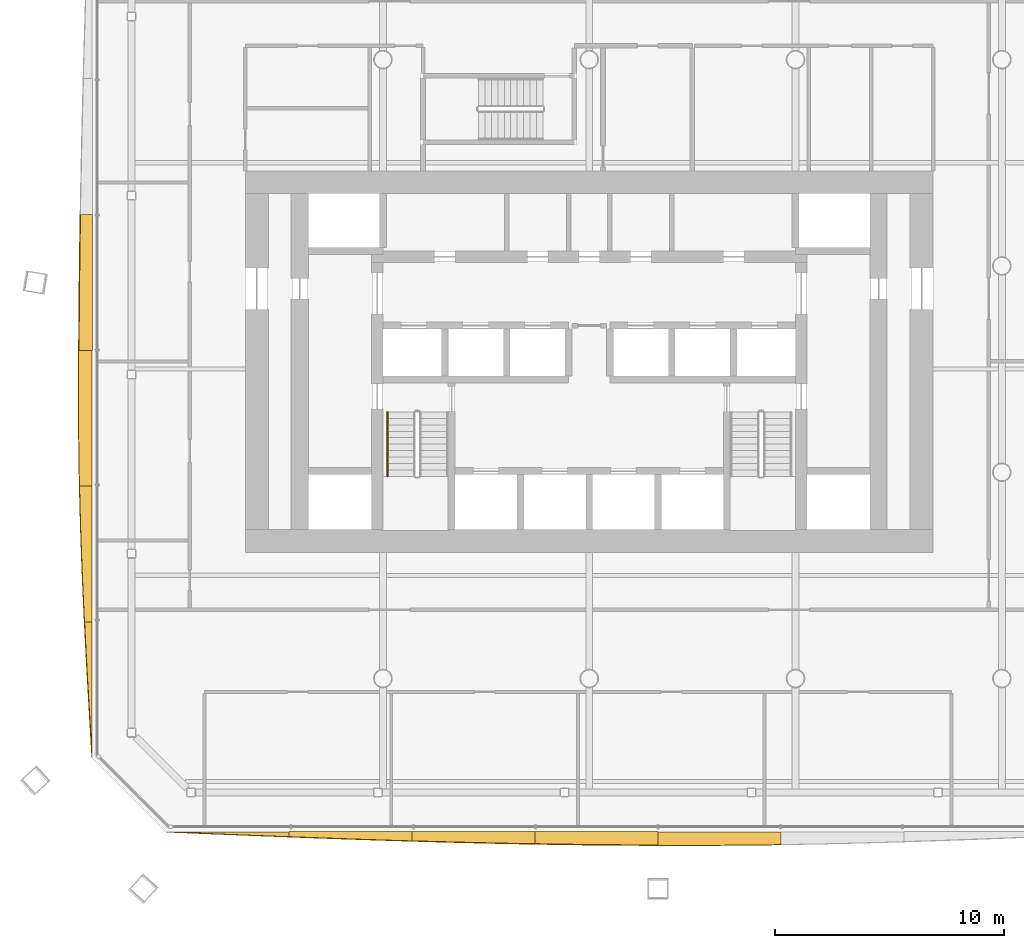
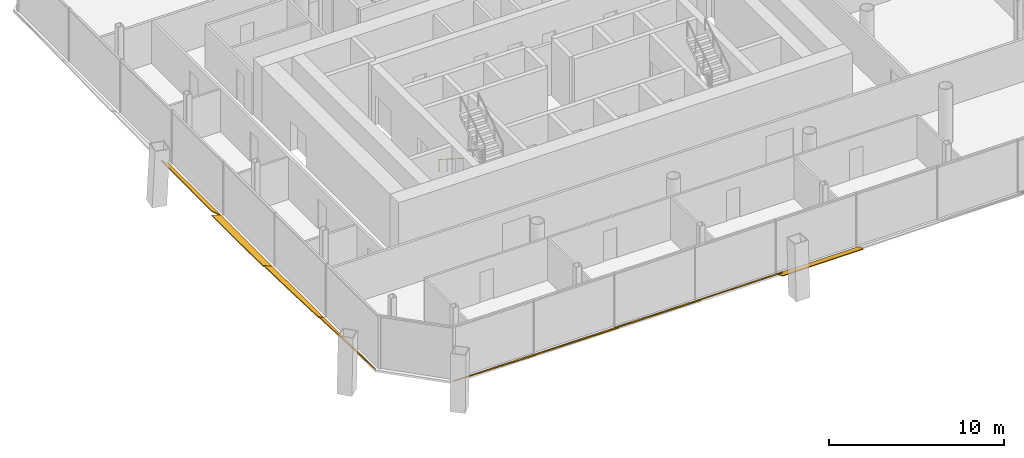
# One storey, part 15 of 19: 9 shading devices, 1 railing.
"""IFC4 building model written with IfcOpenShell, lengths in metres."""

import ifcopenshell
import ifcopenshell.guid

model = None  # the IFC model being written
_history = None  # IfcOwnerHistory: only IFC2X3 demands one
_inside = {}  # id of a spatial element -> (the spatial element, [elements in it])
_under = {}  # id of a project, library or spatial element -> (it, [spatial elements below it])
_declared = {}  # id of a project -> (the project, [libraries it declares])
_typed = {}  # id of a type object -> (the type object, [elements of that type])
_made_of = {}  # id of a material, layer set ... -> (it, [elements and type objects made of it])


def new_model(schema):
    """Start an empty IFC model of exactly this schema.

    Asked for "IFC4X3", IfcOpenShell would pick the latest addendum, in which some entities
    have other attributes; the version numbers below select the first issue.
    IFC2X3 requires an IfcOwnerHistory on every rooted entity: one is made here for all.
    """
    global model, _history
    if schema == "IFC4X3":
        model = ifcopenshell.file(schema_version=(4, 3, 0, 0))
    else:
        model = ifcopenshell.file(schema=schema)
    _inside.clear()
    _under.clear()
    _declared.clear()
    _typed.clear()
    _made_of.clear()
    _history = None
    if model.schema == "IFC2X3":
        org = make("IfcOrganization", Name="unknown")
        user = make(
            "IfcPersonAndOrganization",
            ThePerson=make("IfcPerson", FamilyName="unknown"),
            TheOrganization=org,
        )
        app = make(
            "IfcApplication",
            ApplicationDeveloper=org,
            Version="unknown",
            ApplicationFullName="unknown",
            ApplicationIdentifier="unknown",
        )
        _history = make(
            "IfcOwnerHistory",
            OwningUser=user,
            OwningApplication=app,
            ChangeAction="ADDED",
            CreationDate=0,
        )
    return model


def make(cls, **values):
    """One entity of the class cls with the attributes given. An attribute that is None is left unset."""
    return model.create_entity(
        cls, **{name: value for name, value in values.items() if value is not None}
    )


def rooted(cls, **values):
    """An entity with a GlobalId (a new one), such as an element, a storey or a relation."""
    return make(cls, GlobalId=ifcopenshell.guid.new(), OwnerHistory=_history, **values)


def si_unit(unit_type, name, prefix=None):
    """IfcSIUnit, for example si_unit("LENGTHUNIT", "METRE", prefix="MILLI")."""
    return make("IfcSIUnit", UnitType=unit_type, Prefix=prefix, Name=name)


def assignment(units):
    """IfcUnitAssignment: the units of a project."""
    return None if units is None else make("IfcUnitAssignment", Units=units)


def point(xyz):
    """IfcCartesianPoint."""
    return None if xyz is None else make("IfcCartesianPoint", Coordinates=xyz)


def direction(xyz):
    """IfcDirection."""
    return None if xyz is None else make("IfcDirection", DirectionRatios=xyz)


def frame(location, z_axis=None, x_axis=None):
    """IfcAxis2Placement3D, a coordinate frame: its origin and axes. An axis left out is left unset."""
    return make(
        "IfcAxis2Placement3D",
        Location=point(location),
        Axis=direction(z_axis),
        RefDirection=direction(x_axis),
    )


def frame_2d(location, x_axis=None):
    """IfcAxis2Placement2D, a coordinate frame in the plane: its origin and x axis."""
    return make(
        "IfcAxis2Placement2D", Location=point(location), RefDirection=direction(x_axis)
    )


def origin():
    """The frame at (0, 0, 0) with its axes left unset."""
    return frame((0.0, 0.0, 0.0))


def origin_2d():
    """The frame at (0, 0) in the plane with its x axis left unset."""
    return frame_2d((0.0, 0.0))


def place(relative_to, where):
    """IfcLocalPlacement: puts the frame where relative to a parent placement (None: the world)."""
    return make(
        "IfcLocalPlacement", PlacementRelTo=relative_to, RelativePlacement=where
    )


def context(
    kind, dimensions, precision=None, world=None, true_north=None, identifier=None
):
    """IfcGeometricRepresentationContext, for example the 3D "Model" context."""
    return make(
        "IfcGeometricRepresentationContext",
        ContextIdentifier=identifier,
        ContextType=kind,
        CoordinateSpaceDimension=dimensions,
        Precision=precision,
        WorldCoordinateSystem=world,
        TrueNorth=true_north,
    )


def subcontext(parent, identifier, kind, view, scale=None):
    """IfcGeometricRepresentationSubContext, for example "Body" below "Model"."""
    return make(
        "IfcGeometricRepresentationSubContext",
        ContextIdentifier=identifier,
        ContextType=kind,
        ParentContext=parent,
        TargetScale=scale,
        TargetView=view,
    )


def project(units=None, contexts=None):
    """IfcProject with its units and contexts."""
    return rooted(
        "IfcProject",
        Name="project",
        RepresentationContexts=contexts,
        UnitsInContext=assignment(units),
    )


def spatial(cls, under=None, at=None, **own):
    """A site, building, storey or space (cls), placed at a placement, below another one or the project."""
    s = rooted(cls, ObjectPlacement=at, **own)
    if under is not None:
        _under.setdefault(under.id(), (under, []))[1].append(s)
    return s


def polyline(points):
    """IfcPolyline through the points."""
    return make("IfcPolyline", Points=[point(p) for p in points])


def profile(cls, at=None, kind="AREA", **sizes):
    """A parametric profile (cls). Its sizes go by their IFC names, for example OverallWidth=200.0."""
    return make(cls, ProfileType=kind, Position=at, **sizes)


def circle(**sizes):
    """IfcCircleProfileDef."""
    return profile("IfcCircleProfileDef", **sizes)


def outline(outer, holes=None, kind="AREA"):
    """IfcArbitraryClosedProfileDef: a profile drawn as a closed curve; with holes, ...WithVoids."""
    if holes is None:
        return make("IfcArbitraryClosedProfileDef", ProfileType=kind, OuterCurve=outer)
    return make(
        "IfcArbitraryProfileDefWithVoids",
        ProfileType=kind,
        OuterCurve=outer,
        InnerCurves=holes,
    )


def extrude(swept, where, along, depth):
    """IfcExtrudedAreaSolid: the profile swept, set in the frame where, extruded along a direction by depth."""
    return make(
        "IfcExtrudedAreaSolid",
        SweptArea=swept,
        Position=where,
        ExtrudedDirection=direction(along),
        Depth=depth,
    )


def shape(context_of_items, identifier, shape_type, items):
    """IfcShapeRepresentation: the items that make up one representation, for example the "Body"."""
    return make(
        "IfcShapeRepresentation",
        ContextOfItems=context_of_items,
        RepresentationIdentifier=identifier,
        RepresentationType=shape_type,
        Items=items,
    )


def material(Name=None, Category=None):
    """IfcMaterial."""
    return make("IfcMaterial", Name=Name, Category=Category)


def layer(
    of_material, thickness, ventilated=None, Name=None, Category=None, Priority=None
):
    """IfcMaterialLayer: one layer of a wall or slab, of a material (None: an air gap)."""
    return make(
        "IfcMaterialLayer",
        Material=of_material,
        LayerThickness=thickness,
        IsVentilated=ventilated,
        Name=Name,
        Category=Category,
        Priority=Priority,
    )


def layer_set(layers, Name=None):
    """IfcMaterialLayerSet."""
    return make("IfcMaterialLayerSet", MaterialLayers=layers, LayerSetName=Name)


def made_of(thing, what):
    """Note that an element or type object is made of a material, layer set ...; save() writes the relation."""
    if what is not None:
        _made_of.setdefault(what.id(), (what, []))[1].append(thing)
    return thing


def type_object(cls, material=None, **own):
    """A type object (cls), such as IfcWallType, which elements share."""
    return made_of(rooted(cls, **own), material)


def element(
    cls,
    number,
    at=None,
    inside=None,
    cuts=None,
    type_object=None,
    material=None,
    context=None,
    identifier="Body",
    shape_type=None,
    held_by="IfcProductDefinitionShape",
    body=None,
    shapes=None,
    **own,
):
    """One element of the class cls, such as IfcWall. Its Tag is "e" and its number.

    at: its placement. inside: the storey or other place that contains it. cuts: it is an
    opening in that element (IfcRelVoidsElement). A single representation is given by context,
    identifier, shape_type and body (its items); several are given by shapes. held_by: the class
    of the entity that holds the representations. save() writes the other relations.
    """
    e = rooted(cls, Tag="e%d" % number, ObjectPlacement=at, **own)
    if body is not None:
        shapes = [shape(context, identifier, shape_type, body)]
    if shapes is not None:
        e.Representation = make(held_by, Representations=shapes)
    if inside is not None:
        _inside.setdefault(inside.id(), (inside, []))[1].append(e)
    if cuts is not None:
        rooted(
            "IfcRelVoidsElement", RelatingBuildingElement=cuts, RelatedOpeningElement=e
        )
    if type_object is not None:
        _typed.setdefault(type_object.id(), (type_object, []))[1].append(e)
    return made_of(e, material)


def aggregate(whole, parts):
    """IfcRelAggregates: a whole, such as a stair, and the parts it consists of."""
    return rooted("IfcRelAggregates", RelatingObject=whole, RelatedObjects=parts)


def save(model, path):
    """Write the relations noted so far, then the file.

    IfcRelAggregates (storeys below a building ...), IfcRelContainedInSpatialStructure (elements
    in a storey), IfcRelDefinesByType, IfcRelAssociatesMaterial and IfcRelDeclares: one each for
    every whole, place, type object, material and project.
    """
    for whole, parts in _under.values():
        aggregate(whole, parts)
    for where, things in _inside.values():
        rooted(
            "IfcRelContainedInSpatialStructure",
            RelatedElements=things,
            RelatingStructure=where,
        )
    for kind, things in _typed.values():
        rooted("IfcRelDefinesByType", RelatedObjects=things, RelatingType=kind)
    for what, things in _made_of.values():
        rooted("IfcRelAssociatesMaterial", RelatedObjects=things, RelatingMaterial=what)
    for by, libraries in _declared.values():
        rooted("IfcRelDeclares", RelatingContext=by, RelatedDefinitions=libraries)
    model.write(path)


model = new_model("IFC4")

# Units and contexts
model_context = context("Model", 3, precision=1e-05, world=origin(), true_north=direction((0.0, 1.0)))
body_context = subcontext(model_context, "Body", "Model", "MODEL_VIEW")
ifc_project = project(units=[si_unit("LENGTHUNIT", "METRE"), si_unit("AREAUNIT", "SQUARE_METRE"), si_unit("VOLUMEUNIT", "CUBIC_METRE"), si_unit("PLANEANGLEUNIT", "RADIAN"), si_unit("MASSUNIT", "GRAM", prefix="KILO")], contexts=[model_context])

# Site, building, storey
site_placement = place(None, origin())
site = spatial("IfcSite", under=ifc_project, at=site_placement, CompositionType="ELEMENT")
building_placement = place(site_placement, origin())
building = spatial("IfcBuilding", under=site, at=building_placement, Name="Tskaro Facet Tower", CompositionType="ELEMENT")
storey_placement = place(building_placement, frame((0.0, 0.0, 93.300048828125)))
storey = spatial("IfcBuildingStorey", under=building, at=storey_placement, Name="L22", CompositionType="ELEMENT", Elevation=93.300048828125)

# Shading devices
ifc_material_1 = material(Name="Bronze anodised aluminium 6063-T6", Category="aluminium")
ifc_layer = layer(ifc_material_1, 0.06005859375, Name="Bronze anodised aluminium 6063-T6")
ifc_layer_set = layer_set([ifc_layer], Name="Bronze anodised aluminium 6063-T6")
shading_device_type = type_object("IfcShadingDeviceType", Name="Bronze sun blade (FN1)", PredefinedType="USERDEFINED", material=ifc_layer_set)
shading_device_1_placement = place(storey_placement, frame((-18.451904296875, -24.687744140625, 0.054443359375), z_axis=(2.181605e-06, 0.422369081412, 0.906423940032), x_axis=(0.999999999998, -9.21443e-07, -1.977459e-06)))
element("IfcShadingDevice", 1, at=shading_device_1_placement, inside=storey, type_object=shading_device_type, Name="Fin blade south 1", ObjectType="FIN", PredefinedType="USERDEFINED", context=body_context, shape_type="SweptSolid", body=[
    extrude(outline(polyline([(0.0, 0.0), (5.362792968737239, 0.0), (5.362792968764389, -0.23701767348853642), (4.692626952951185, -0.20850765819732148), (4.022216797028616, -0.1793488181886033), (3.3518066403983062, -0.15007180072416706), (2.6813964845085914, -0.1203672534494624), (2.0109863279111364, -0.09054452871903973), (1.3405761720542768, -0.060294274178348616), (0.6701660157146387, -0.030147137089174308), (0.0, 0.0)])), origin(), (0.0, 0.0, -1.0), 0.06005859375),
])
shading_device_2_placement = place(storey_placement, frame((-13.089111328125, -24.68310546875, 0.052001953125), z_axis=(1.904356e-06, 0.49999354854, 0.866029128502), x_axis=(0.999999999998, -9.52166e-07, -1.649228e-06)))
element("IfcShadingDevice", 2, at=shading_device_2_placement, inside=storey, type_object=shading_device_type, Name="Fin blade south 2", ObjectType="FIN", PredefinedType="USERDEFINED", context=body_context, shape_type="SweptSolid", body=[
    extrude(outline(polyline([(0.0, 0.0), (5.363037109365275, -5.678336411235112e-22), (5.363037109408008, -0.4614706022295593), (4.692626952959277, -0.43785093984569634), (4.022460937646087, -0.4132307725714194), (3.3520507811806923, -0.3876428049889011), (2.681640625225841, -0.36105433251596897), (2.011230468573602, -0.33383156136493336), (1.3408203126643699, -0.30581971821618503), (0.6704101560577506, -0.2771735763893333), (2.3955756924811028e-11, -0.24807186419490682), (0.0, 0.0)])), origin(), (0.0, 0.0, -1.0), 0.06005859375),
])
shading_device_3_placement = place(storey_placement, frame((-7.72607421875, -24.678466796875, 0.049072265625), z_axis=(1.3594015e-05, 0.573496239831, 0.819208192534), x_axis=(0.999999999908, -7.796116e-06, -1.1136328e-05)))
element("IfcShadingDevice", 3, at=shading_device_3_placement, inside=storey, type_object=shading_device_type, Name="Fin blade south 3", ObjectType="FIN", PredefinedType="USERDEFINED", context=body_context, shape_type="SweptSolid", body=[
    extrude(outline(polyline([(0.0, 0.0), (5.363037108879463, -4.54266912898809e-21), (5.363037110058677, -0.6463451811314537), (4.692626951958893, -0.6312445985584466), (4.022216795217686, -0.6145839510629336), (3.35205077964455, -0.5967032543755039), (2.681640624805015, -0.5772624927655681), (2.0112304696930936, -0.5569416976943048), (1.3408203132209195, -0.5352008514309761), (0.6704101572918408, -0.5122399559757305), (-8.129725098940346e-10, -0.48819902505900853), (0.0, 0.0)])), origin(), (0.0, 0.0, -1.0), 0.06005859375),
])
shading_device_4_placement = place(storey_placement, frame((-2.363037109375, -24.67431640625, 0.0458984375), z_axis=(-1.4906867e-05, 0.642710767968, 0.766108914264), x_axis=(0.999999999889, 9.580804e-06, 1.1420284e-05)))
element("IfcShadingDevice", 4, at=shading_device_4_placement, inside=storey, type_object=shading_device_type, Name="Fin blade south 4", ObjectType="FIN", PredefinedType="USERDEFINED", context=body_context, shape_type="SweptSolid", body=[
    extrude(outline(polyline([(0.0, 0.0), (5.363037108779127, -4.54266912898809e-21), (5.363037109473206, -0.7642244242934703), (4.692626951594931, -0.7609418349243656), (4.022216796598417, -0.7559093684658431), (3.351806639356443, -0.7491571514184664), (2.6816406256212026, -0.7406550572816718), (2.011230469464622, -0.730777162673794), (1.3408203134016465, -0.7189924791678947), (0.6704101555423042, -0.7058319951909122), (-1.7743417944564668e-09, -0.691108672433679), (0.0, 0.0)])), origin(), (0.0, 0.0, -1.0), 0.06005859375),
])
shading_device_5_placement = place(storey_placement, frame((3.0, -24.6923828125, 0.056396484375), z_axis=(3.811898e-06, 0.341938226417, 0.939722432051), x_axis=(0.999999999993, -1.303434e-06, -3.582126e-06)))
element("IfcShadingDevice", 5, at=shading_device_5_placement, inside=storey, type_object=shading_device_type, Name="Fin blade south 5", ObjectType="FIN", PredefinedType="USERDEFINED", context=body_context, shape_type="SweptSolid", body=[
    extrude(outline(polyline([(0.0, 0.0), (5.363037109336036, 0.0), (5.36303710908774, -0.5902910837121105), (4.69262695356596, -0.6000944649039217), (4.0222167966911755, -0.6082083941301994), (3.3518066405306914, -0.6146953337882137), (2.681396484209966, -0.6196387648902741), (2.011230469228539, -0.6229552064240711), (1.340820312269109, -0.6245821959923346), (1.02978515633959, -0.6248116204142237), (0.6704101560239799, -0.6245821959923346), (-3.8139102459452555e-10, -0.6230386874363807), (0.0, 0.0)])), origin(), (0.0, 0.0, -1.0), 0.06005859375),
])
shading_device_6_placement = place(storey_placement, frame((-21.67431640625, 2.24462890625, 0.0458984375), z_axis=(0.642729543508, 1.3438745e-05, 0.76609316256), x_axis=(8.637478e-06, -0.99999999991, 1.029533e-05)))
element("IfcShadingDevice", 6, at=shading_device_6_placement, inside=storey, type_object=shading_device_type, Name="Fin blade west 4", ObjectType="FIN", PredefinedType="USERDEFINED", context=body_context, shape_type="SweptSolid", body=[
    extrude(outline(polyline([(0.0, 0.0), (5.924316405715035, -1.0036182372105885e-20), (5.924316407153595, -0.7591919606864133), (5.183593749116765, -0.7536586289192773), (4.443115234708185, -0.746719375657062), (3.702636718680607, -0.7384043189708278), (2.9621582027380446, -0.7281824735410375), (2.2216796855812344, -0.716928775543233), (1.4812011735364545, -0.7040821215868167), (0.7404785146254333, -0.6898897822774417), (-6.573387338031569e-10, -0.6742915214729877), (0.0, 0.0)])), origin(), (0.0, 0.0, -1.0), 0.06005859375),
])
shading_device_7_placement = place(storey_placement, frame((-21.6923828125, -3.6796875, 0.056396484375), z_axis=(0.341961975386, -1.2761351e-05, 0.939713790059), x_axis=(-4.363897e-06, -0.999999999919, -1.1992018e-05)))
element("IfcShadingDevice", 7, at=shading_device_7_placement, inside=storey, type_object=shading_device_type, Name="Fin blade west 5", ObjectType="FIN", PredefinedType="USERDEFINED", context=body_context, shape_type="SweptSolid", body=[
    extrude(outline(polyline([(0.0, 0.0), (5.924072265142627, 5.017884390899804e-21), (5.924072266607092, -0.5821771517715377), (5.183593749491, -0.5975497780110658), (4.442871092538364, -0.6095224801419922), (3.7023925769991424, -0.6180952581643168), (2.9619140622483555, -0.6232681120780397), (2.26293945346722, -0.6248116195711163), (2.2214355472205995, -0.6248116195711163), (1.4809570313874187, -0.6240398658245779), (0.7404785160826931, -0.621954026897008), (-5.559120299368908e-10, -0.618867011910855), (0.0, 0.0)])), origin(), (0.0, 0.0, -1.0), 0.06005859375),
])
shading_device_8_placement = place(storey_placement, frame((-21.687744140625, -9.603759765625, 0.054443359375), z_axis=(0.422490657839, 9.872456e-06, 0.906367278724), x_axis=(4.17102e-06, -0.999999999951, 8.948071e-06)))
element("IfcShadingDevice", 8, at=shading_device_8_placement, inside=storey, type_object=shading_device_type, Name="Fin blade west 6", ObjectType="FIN", PredefinedType="USERDEFINED", context=body_context, shape_type="SweptSolid", body=[
    extrude(outline(polyline([(0.0, 0.0), (5.924072265336304, -2.508942195449902e-21), (5.924072266326116, -0.36557055266439026), (5.183593749448822, -0.4045671663113526), (4.443115235182606, -0.4412628088932535), (3.7026367181399755, -0.47567246721747813), (2.961914062935477, -0.5072354451955391), (2.221435545431596, -0.5359667296348212), (1.4809570314091505, -0.5616300526540215), (0.74047851548065, -0.5842404010605252), (-3.172745313971343e-10, -0.6033552127064961), (0.0, 0.0)])), origin(), (0.0, 0.0, -1.0), 0.06005859375),
])
shading_device_9_placement = place(storey_placement, frame((-21.68310546875, -15.52783203125, 0.052001953125), z_axis=(0.49977831337, 1.78683e-07, 0.866153356794), x_axis=(8.9302e-08, -1.0, 1.54766e-07)))
element("IfcShadingDevice", 9, at=shading_device_9_placement, inside=storey, type_object=shading_device_type, Name="Fin blade west 7", ObjectType="FIN", PredefinedType="USERDEFINED", context=body_context, shape_type="SweptSolid", body=[
    extrude(outline(polyline([(0.0, 0.0), (5.924072265624905, 0.0), (5.183593750005145, -0.050753063675134394), (4.443115234369403, -0.10117264793860772), (3.7026367187394804, -0.15104728956854652), (2.962158203137179, -0.20016552534307733), (2.2216796875087326, -0.24807185966075146), (1.480957031250942, -0.29455482929969545), (0.7404785156138081, -0.33961443425990934), (-4.767515441631697e-14, -0.3824942686859851), (0.0, 0.0)])), origin(), (0.0, 0.0, -1.0), 0.06005859375),
])

# Railing
ifc_material_2 = material(Name="Stainless steel", Category="steel")
railing_type = type_object("IfcRailingType", Name="RL-HANDRAIL-900", PredefinedType="HANDRAIL", material=ifc_material_2)
railing_placement = place(storey_placement, frame((-8.800048828125, -6.375, 0.17724609375)))
element("IfcRailing", 10, at=railing_placement, inside=storey, type_object=railing_type, Name="L22 ST-1 stair handrail 1", PredefinedType="HANDRAIL", context=body_context, shape_type="SweptSolid", body=[
    extrude(circle(Radius=0.02392578125, at=origin_2d()), frame((0.0, 0.0, 0.8759765625), z_axis=(0.0, -0.844908973607, 0.534910110503), x_axis=(1.0, 0.0, 0.0)), (0.0, 0.0, 1.0), 3.31396484375),
    extrude(circle(Radius=0.02099609375, at=origin_2d()), origin(), (0.0, 0.0, 1.0), 0.851806640625),
    extrude(circle(Radius=0.02099609375, at=origin_2d()), frame((0.0, -0.933349609375, 0.5908203125)), (0.0, 0.0, 1.0), 0.851806640625),
    extrude(circle(Radius=0.02099609375, at=origin_2d()), frame((0.0, -1.86669921875, 1.181884765625)), (0.0, 0.0, 1.0), 0.851806640625),
    extrude(circle(Radius=0.02099609375, at=origin_2d()), frame((0.0, -2.800048828125, 1.772705078125)), (0.0, 0.0, 1.0), 0.851806640625),
])

save(model, "model.ifc")
